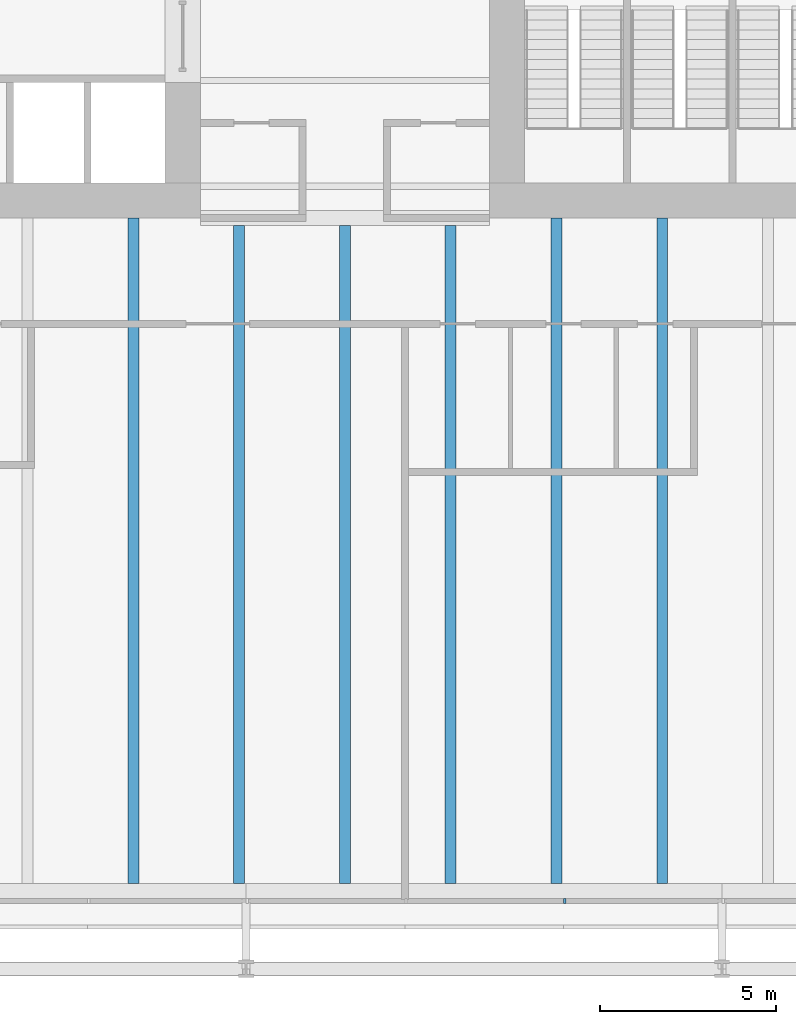
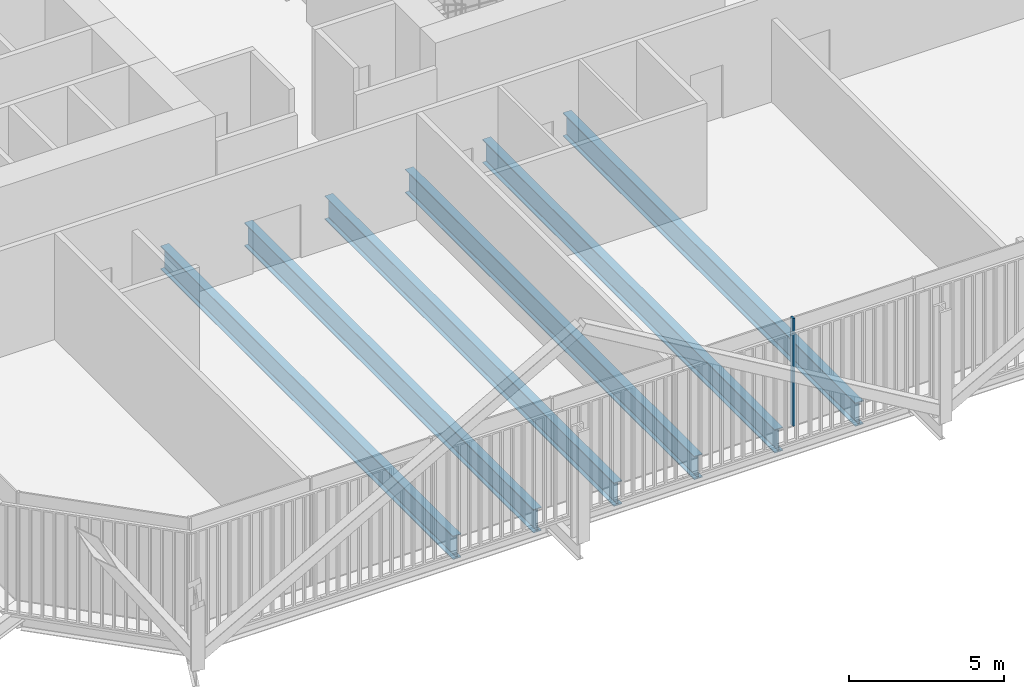
# One storey, part 4 of 21: 6 beams, 1 member, 1 element without a shape of its own.
"""IFC4 building model written with IfcOpenShell, lengths in metres."""

from ifc_helpers import new_model, si_unit, direction, frame, origin, origin_2d, place, context, subcontext, project, spatial, rectangle, i_section, extrude, material, layer, layer_set, material_profile, profile_set, type_object, element, aggregate, save


model = new_model("IFC4")

# Units and contexts
model_context = context("Model", 3, precision=1e-05, world=origin(), true_north=direction((0.0, 1.0)))
body_context = subcontext(model_context, "Body", "Model", "MODEL_VIEW")
ifc_project = project(units=[si_unit("LENGTHUNIT", "METRE"), si_unit("AREAUNIT", "SQUARE_METRE"), si_unit("VOLUMEUNIT", "CUBIC_METRE"), si_unit("PLANEANGLEUNIT", "RADIAN"), si_unit("MASSUNIT", "GRAM", prefix="KILO")], contexts=[model_context])

# Site, building, storey
site_placement = place(None, origin())
site = spatial("IfcSite", under=ifc_project, at=site_placement, CompositionType="ELEMENT")
building_placement = place(site_placement, origin())
building = spatial("IfcBuilding", under=site, at=building_placement, Name="Millrace Tower", CompositionType="ELEMENT")
storey_placement = place(building_placement, frame((0.0, 0.0, 82.0)))
storey = spatial("IfcBuildingStorey", under=building, at=storey_placement, Name="L18", CompositionType="ELEMENT", Elevation=82.0)

# Curtain wall, member
ifc_material_1 = material(Name="Aluminium and glass", Category="aluminium")
ifc_layer = layer(ifc_material_1, 0.14990234375)
ifc_layer_set = layer_set([ifc_layer], Name="Aluminium and glass")
curtain_wall_type = type_object("IfcCurtainWallType", Name="CW-3 telecom floor curtain wall", PredefinedType="NOTDEFINED", material=ifc_layer_set)
curtain_wall_placement = place(storey_placement, origin())
curtain_wall = element("IfcCurtainWall", 1, at=curtain_wall_placement, inside=storey, type_object=curtain_wall_type, Name="Curtain wall B-F02 L18", PredefinedType="NOTDEFINED")
ifc_material_2 = material(Name="Aluminium", Category="aluminium")
ifc_material_profile_1 = material_profile(ifc_material_2, rectangle(XDim=0.06494140625, YDim=0.14990234375, at=origin_2d()))
ifc_profile_set_1 = profile_set([ifc_material_profile_1], Name="Aluminium")
member_type = type_object("IfcMemberType", Name="CW-3 telecom floor curtain wall mullion", PredefinedType="MULLION", material=ifc_profile_set_1)
member_placement = place(storey_placement, frame((6.232421875, -29.27490234375, 0.14990234375), z_axis=(0.0, 0.0, 1.0), x_axis=(1.0, 0.0, 0.0)))
member = element("IfcMember", 2, at=member_placement, type_object=member_type, Name="CW3 mullion B-F02.6", PredefinedType="MULLION", context=body_context, shape_type="SweptSolid", body=[
    extrude(rectangle(XDim=0.06494140625, YDim=0.14990234375, at=origin_2d()), origin(), (0.0, 0.0, 1.0), 4.25),
])
aggregate(curtain_wall, [member])

# Beams
ifc_material_3 = material(Name="Steel ASTM A992 Grade 50", Category="steel")
ifc_material_profile_2 = material_profile(ifc_material_3, i_section(OverallWidth=0.307373046875, OverallDepth=0.927001953125, WebThickness=0.01953125, FlangeThickness=0.031982421875, FilletRadius=0.01904296875, at=origin_2d()))
ifc_profile_set_2 = profile_set([ifc_material_profile_2], Name="Steel ASTM A992 Grade 50")
beam_type = type_object("IfcBeamType", Name="Floor beam W36x194", PredefinedType="JOIST", material=ifc_profile_set_2)
beam_placement = place(storey_placement, frame((-6.0, -28.781005859375, -0.66357421875), z_axis=(0.0, 1.0, 0.0), x_axis=(-1.0, 0.0, 0.0)))
element("IfcBeam", 3, at=beam_placement, inside=storey, type_object=beam_type, Name="BM-B-L18-S1-S045", PredefinedType="JOIST", context=body_context, shape_type="SweptSolid", body=[
    extrude(i_section(OverallWidth=0.307373046875, OverallDepth=0.927001953125, WebThickness=0.01953125, FlangeThickness=0.031982421875, FilletRadius=0.01904296875, at=origin_2d()), origin(), (0.0, 0.0, 1.0), 18.881103515625),
])
for number, where, z_axis, x_axis, name in (
    (4, (-3.0, -28.781005859375, -0.66357421875), (0.0, 1.0, 0.0), (-1.0, 0.0, 0.0), "BM-B-L18-S1-S047"),
    (5, (0.0, -28.781005859375, -0.66357421875), (0.0, 1.0, 0.0), (-1.0, 0.0, 0.0), "BM-B-L18-S1-S049"),
    (6, (3.0, -28.781005859375, -0.66357421875), (0.0, 1.0, 0.0), (-1.0, 0.0, 0.0), "BM-B-L18-S1-S051"),
):
    element("IfcBeam", number, at=place(storey_placement, frame(where, z_axis=z_axis, x_axis=x_axis)), inside=storey, type_object=beam_type, Name=name, PredefinedType="JOIST", context=body_context, shape_type="SweptSolid", body=[
        extrude(i_section(OverallWidth=0.307373046875, OverallDepth=0.927001953125, WebThickness=0.01953125, FlangeThickness=0.031982421875, FilletRadius=0.01904296875, at=origin_2d()), origin(), (0.0, 0.0, 1.0), 18.670166015625),
    ])
for number, where, z_axis, x_axis, name in (
    (7, (6.0, -28.781005859375, -0.66357421875), (0.0, 1.0, 0.0), (-1.0, 0.0, 0.0), "BM-B-L18-S1-S053"),
    (8, (9.0, -28.781005859375, -0.66357421875), (0.0, 1.0, 0.0), (-1.0, 0.0, 0.0), "BM-B-L18-S1-S055"),
):
    element("IfcBeam", number, at=place(storey_placement, frame(where, z_axis=z_axis, x_axis=x_axis)), inside=storey, type_object=beam_type, Name=name, PredefinedType="JOIST", context=body_context, shape_type="SweptSolid", body=[
        extrude(i_section(OverallWidth=0.307373046875, OverallDepth=0.927001953125, WebThickness=0.01953125, FlangeThickness=0.031982421875, FilletRadius=0.01904296875, at=origin_2d()), origin(), (0.0, 0.0, 1.0), 18.881103515625),
    ])

save(model, "model.ifc")
